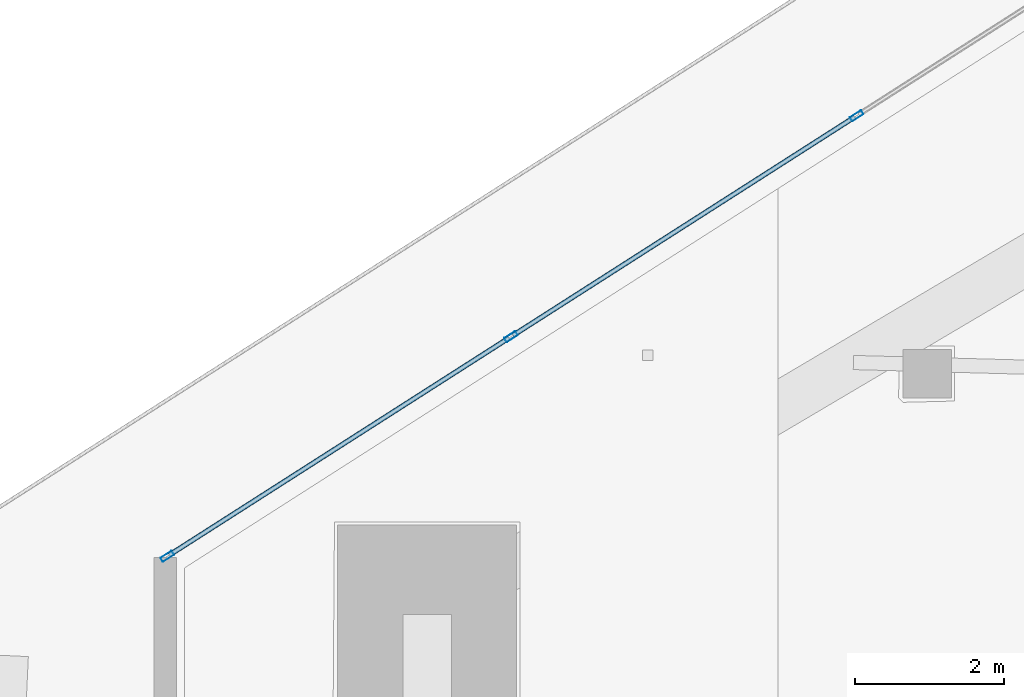
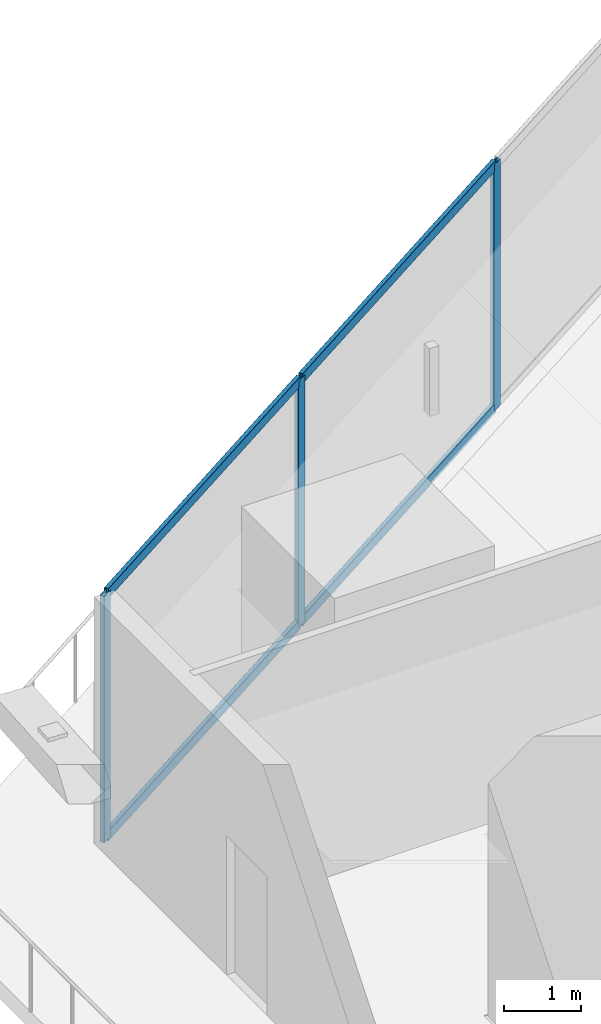
# One storey, part 14 of 45: 7 members, 1 element without a shape of its own.
"""IFC4 building model written with IfcOpenShell, lengths in metres."""

import ifcopenshell
import ifcopenshell.guid

model = None  # the IFC model being written
_history = None  # IfcOwnerHistory: only IFC2X3 demands one
_inside = {}  # id of a spatial element -> (the spatial element, [elements in it])
_under = {}  # id of a project, library or spatial element -> (it, [spatial elements below it])
_declared = {}  # id of a project -> (the project, [libraries it declares])
_typed = {}  # id of a type object -> (the type object, [elements of that type])
_made_of = {}  # id of a material, layer set ... -> (it, [elements and type objects made of it])


def new_model(schema):
    """Start an empty IFC model of exactly this schema.

    Asked for "IFC4X3", IfcOpenShell would pick the latest addendum, in which some entities
    have other attributes; the version numbers below select the first issue.
    IFC2X3 requires an IfcOwnerHistory on every rooted entity: one is made here for all.
    """
    global model, _history
    if schema == "IFC4X3":
        model = ifcopenshell.file(schema_version=(4, 3, 0, 0))
    else:
        model = ifcopenshell.file(schema=schema)
    _inside.clear()
    _under.clear()
    _declared.clear()
    _typed.clear()
    _made_of.clear()
    _history = None
    if model.schema == "IFC2X3":
        org = make("IfcOrganization", Name="unknown")
        user = make(
            "IfcPersonAndOrganization",
            ThePerson=make("IfcPerson", FamilyName="unknown"),
            TheOrganization=org,
        )
        app = make(
            "IfcApplication",
            ApplicationDeveloper=org,
            Version="unknown",
            ApplicationFullName="unknown",
            ApplicationIdentifier="unknown",
        )
        _history = make(
            "IfcOwnerHistory",
            OwningUser=user,
            OwningApplication=app,
            ChangeAction="ADDED",
            CreationDate=0,
        )
    return model


def make(cls, **values):
    """One entity of the class cls with the attributes given. An attribute that is None is left unset."""
    return model.create_entity(
        cls, **{name: value for name, value in values.items() if value is not None}
    )


def rooted(cls, **values):
    """An entity with a GlobalId (a new one), such as an element, a storey or a relation."""
    return make(cls, GlobalId=ifcopenshell.guid.new(), OwnerHistory=_history, **values)


def si_unit(unit_type, name, prefix=None):
    """IfcSIUnit, for example si_unit("LENGTHUNIT", "METRE", prefix="MILLI")."""
    return make("IfcSIUnit", UnitType=unit_type, Prefix=prefix, Name=name)


def assignment(units):
    """IfcUnitAssignment: the units of a project."""
    return None if units is None else make("IfcUnitAssignment", Units=units)


def point(xyz):
    """IfcCartesianPoint."""
    return None if xyz is None else make("IfcCartesianPoint", Coordinates=xyz)


def direction(xyz):
    """IfcDirection."""
    return None if xyz is None else make("IfcDirection", DirectionRatios=xyz)


def frame(location, z_axis=None, x_axis=None):
    """IfcAxis2Placement3D, a coordinate frame: its origin and axes. An axis left out is left unset."""
    return make(
        "IfcAxis2Placement3D",
        Location=point(location),
        Axis=direction(z_axis),
        RefDirection=direction(x_axis),
    )


def frame_2d(location, x_axis=None):
    """IfcAxis2Placement2D, a coordinate frame in the plane: its origin and x axis."""
    return make(
        "IfcAxis2Placement2D", Location=point(location), RefDirection=direction(x_axis)
    )


def origin():
    """The frame at (0, 0, 0) with its axes left unset."""
    return frame((0.0, 0.0, 0.0))


def origin_2d():
    """The frame at (0, 0) in the plane with its x axis left unset."""
    return frame_2d((0.0, 0.0))


def place(relative_to, where):
    """IfcLocalPlacement: puts the frame where relative to a parent placement (None: the world)."""
    return make(
        "IfcLocalPlacement", PlacementRelTo=relative_to, RelativePlacement=where
    )


def context(
    kind, dimensions, precision=None, world=None, true_north=None, identifier=None
):
    """IfcGeometricRepresentationContext, for example the 3D "Model" context."""
    return make(
        "IfcGeometricRepresentationContext",
        ContextIdentifier=identifier,
        ContextType=kind,
        CoordinateSpaceDimension=dimensions,
        Precision=precision,
        WorldCoordinateSystem=world,
        TrueNorth=true_north,
    )


def subcontext(parent, identifier, kind, view, scale=None):
    """IfcGeometricRepresentationSubContext, for example "Body" below "Model"."""
    return make(
        "IfcGeometricRepresentationSubContext",
        ContextIdentifier=identifier,
        ContextType=kind,
        ParentContext=parent,
        TargetScale=scale,
        TargetView=view,
    )


def project(units=None, contexts=None):
    """IfcProject with its units and contexts."""
    return rooted(
        "IfcProject",
        Name="project",
        RepresentationContexts=contexts,
        UnitsInContext=assignment(units),
    )


def spatial(cls, under=None, at=None, **own):
    """A site, building, storey or space (cls), placed at a placement, below another one or the project."""
    s = rooted(cls, ObjectPlacement=at, **own)
    if under is not None:
        _under.setdefault(under.id(), (under, []))[1].append(s)
    return s


def profile(cls, at=None, kind="AREA", **sizes):
    """A parametric profile (cls). Its sizes go by their IFC names, for example OverallWidth=200.0."""
    return make(cls, ProfileType=kind, Position=at, **sizes)


def hollow_rectangle(**sizes):
    """IfcRectangleHollowProfileDef."""
    return profile("IfcRectangleHollowProfileDef", **sizes)


def extrude(swept, where, along, depth):
    """IfcExtrudedAreaSolid: the profile swept, set in the frame where, extruded along a direction by depth."""
    return make(
        "IfcExtrudedAreaSolid",
        SweptArea=swept,
        Position=where,
        ExtrudedDirection=direction(along),
        Depth=depth,
    )


def shape(context_of_items, identifier, shape_type, items):
    """IfcShapeRepresentation: the items that make up one representation, for example the "Body"."""
    return make(
        "IfcShapeRepresentation",
        ContextOfItems=context_of_items,
        RepresentationIdentifier=identifier,
        RepresentationType=shape_type,
        Items=items,
    )


def material(Name=None, Category=None):
    """IfcMaterial."""
    return make("IfcMaterial", Name=Name, Category=Category)


def layer(
    of_material, thickness, ventilated=None, Name=None, Category=None, Priority=None
):
    """IfcMaterialLayer: one layer of a wall or slab, of a material (None: an air gap)."""
    return make(
        "IfcMaterialLayer",
        Material=of_material,
        LayerThickness=thickness,
        IsVentilated=ventilated,
        Name=Name,
        Category=Category,
        Priority=Priority,
    )


def layer_set(layers, Name=None):
    """IfcMaterialLayerSet."""
    return make("IfcMaterialLayerSet", MaterialLayers=layers, LayerSetName=Name)


def material_profile(
    of_material, cross_section, Name=None, Category=None, Priority=None
):
    """IfcMaterialProfile: a cross section and its material."""
    return make(
        "IfcMaterialProfile",
        Name=Name,
        Material=of_material,
        Profile=cross_section,
        Priority=Priority,
        Category=Category,
    )


def profile_set(profiles, Name=None, composite=None):
    """IfcMaterialProfileSet."""
    return make(
        "IfcMaterialProfileSet",
        Name=Name,
        MaterialProfiles=profiles,
        CompositeProfile=composite,
    )


def made_of(thing, what):
    """Note that an element or type object is made of a material, layer set ...; save() writes the relation."""
    if what is not None:
        _made_of.setdefault(what.id(), (what, []))[1].append(thing)
    return thing


def type_object(cls, material=None, **own):
    """A type object (cls), such as IfcWallType, which elements share."""
    return made_of(rooted(cls, **own), material)


def element(
    cls,
    number,
    at=None,
    inside=None,
    cuts=None,
    type_object=None,
    material=None,
    context=None,
    identifier="Body",
    shape_type=None,
    held_by="IfcProductDefinitionShape",
    body=None,
    shapes=None,
    **own,
):
    """One element of the class cls, such as IfcWall. Its Tag is "e" and its number.

    at: its placement. inside: the storey or other place that contains it. cuts: it is an
    opening in that element (IfcRelVoidsElement). A single representation is given by context,
    identifier, shape_type and body (its items); several are given by shapes. held_by: the class
    of the entity that holds the representations. save() writes the other relations.
    """
    e = rooted(cls, Tag="e%d" % number, ObjectPlacement=at, **own)
    if body is not None:
        shapes = [shape(context, identifier, shape_type, body)]
    if shapes is not None:
        e.Representation = make(held_by, Representations=shapes)
    if inside is not None:
        _inside.setdefault(inside.id(), (inside, []))[1].append(e)
    if cuts is not None:
        rooted(
            "IfcRelVoidsElement", RelatingBuildingElement=cuts, RelatedOpeningElement=e
        )
    if type_object is not None:
        _typed.setdefault(type_object.id(), (type_object, []))[1].append(e)
    return made_of(e, material)


def aggregate(whole, parts):
    """IfcRelAggregates: a whole, such as a stair, and the parts it consists of."""
    return rooted("IfcRelAggregates", RelatingObject=whole, RelatedObjects=parts)


def save(model, path):
    """Write the relations noted so far, then the file.

    IfcRelAggregates (storeys below a building ...), IfcRelContainedInSpatialStructure (elements
    in a storey), IfcRelDefinesByType, IfcRelAssociatesMaterial and IfcRelDeclares: one each for
    every whole, place, type object, material and project.
    """
    for whole, parts in _under.values():
        aggregate(whole, parts)
    for where, things in _inside.values():
        rooted(
            "IfcRelContainedInSpatialStructure",
            RelatedElements=things,
            RelatingStructure=where,
        )
    for kind, things in _typed.values():
        rooted("IfcRelDefinesByType", RelatedObjects=things, RelatingType=kind)
    for what, things in _made_of.values():
        rooted("IfcRelAssociatesMaterial", RelatedObjects=things, RelatingMaterial=what)
    for by, libraries in _declared.values():
        rooted("IfcRelDeclares", RelatingContext=by, RelatedDefinitions=libraries)
    model.write(path)


model = new_model("IFC4")

# Units and contexts
model_context = context("Model", 3, precision=1e-05, world=origin(), true_north=direction((0.0, 1.0)))
body_context = subcontext(model_context, "Body", "Model", "MODEL_VIEW")
ifc_project = project(units=[si_unit("LENGTHUNIT", "METRE"), si_unit("AREAUNIT", "SQUARE_METRE"), si_unit("VOLUMEUNIT", "CUBIC_METRE"), si_unit("PLANEANGLEUNIT", "RADIAN"), si_unit("MASSUNIT", "GRAM", prefix="KILO")], contexts=[model_context])

# Site, building, storey
site_placement = place(None, origin())
site = spatial("IfcSite", under=ifc_project, at=site_placement, CompositionType="ELEMENT")
building_placement = place(site_placement, origin())
building = spatial("IfcBuilding", under=site, at=building_placement, Name="Qorvath Tower", CompositionType="ELEMENT")
storey_placement = place(building_placement, frame((0.0, 0.0, 95.39990234375)))
storey = spatial("IfcBuildingStorey", under=building, at=storey_placement, Name="L21", CompositionType="ELEMENT", Elevation=95.39990234375)

# Curtain wall, members
ifc_material_1 = material(Name="Anodised aluminium and triple low-E glass", Category="aluminium")
ifc_layer = layer(ifc_material_1, 0.179931640625)
ifc_layer_set = layer_set([ifc_layer], Name="CW-SYS-2")
curtain_wall_type = type_object("IfcCurtainWallType", Name="CW-SYS-2", PredefinedType="NOTDEFINED", material=ifc_layer_set)
curtain_wall_placement = place(storey_placement, origin())
curtain_wall = element("IfcCurtainWall", 1, at=curtain_wall_placement, inside=storey, type_object=curtain_wall_type, Name="Curtain Wall CW-2 CW-T-L21-16.4", PredefinedType="NOTDEFINED")
ifc_material_2 = material(Name="Anodised aluminium 6063-T6", Category="aluminium")
ifc_material_profile_1 = material_profile(ifc_material_2, hollow_rectangle(XDim=0.06494140625, YDim=0.179931640625, WallThickness=0.00341796875, InnerFilletRadius=0.00341796875, OuterFilletRadius=0.007080078125, at=origin_2d()), Name="CWM 180x65")
ifc_profile_set_1 = profile_set([ifc_material_profile_1], Name="Anodised aluminium 6063-T6")
member_type_1 = type_object("IfcMemberType", Name="CWM-180", PredefinedType="MULLION", material=ifc_profile_set_1)
member_1_placement = place(storey_placement, frame((-49.524658203125, 9.881591796875, 0.0), z_axis=(0.0, 0.0, 1.0), x_axis=(0.53852928912, -0.842606791309, 0.0)))
member_1 = element("IfcMember", 2, at=member_1_placement, type_object=member_type_1, Name="CW-2 mullion 4", PredefinedType="MULLION", context=body_context, shape_type="SweptSolid", body=[
    extrude(hollow_rectangle(XDim=0.06494140625, YDim=0.179931640625, WallThickness=0.00341796875, InnerFilletRadius=0.00341796875, OuterFilletRadius=0.007080078125, at=origin_2d()), origin(), (0.0, 0.0, 1.0), 3.900146484375),
])
member_2_placement = place(storey_placement, frame((-54.158935546875, 6.919677734375, 0.0), z_axis=(0.0, 0.0, 1.0), x_axis=(0.53852928912, -0.842606791309, 0.0)))
member_2 = element("IfcMember", 3, at=member_2_placement, type_object=member_type_1, Name="CW-2 mullion 5", PredefinedType="MULLION", context=body_context, shape_type="SweptSolid", body=[
    extrude(hollow_rectangle(XDim=0.06494140625, YDim=0.179931640625, WallThickness=0.00341796875, InnerFilletRadius=0.00341796875, OuterFilletRadius=0.007080078125, at=origin_2d()), origin(), (0.0, 0.0, 1.0), 3.900146484375),
])
member_3_placement = place(storey_placement, frame((-58.765869140625, 3.975341796875, 0.0), z_axis=(0.0, 0.0, 1.0), x_axis=(0.53852928912, -0.842606791309, 0.0)))
member_3 = element("IfcMember", 4, at=member_3_placement, type_object=member_type_1, Name="CW-2 mullion 6", PredefinedType="MULLION", context=body_context, shape_type="SweptSolid", body=[
    extrude(hollow_rectangle(XDim=0.06494140625, YDim=0.179931640625, WallThickness=0.00341796875, InnerFilletRadius=0.00341796875, OuterFilletRadius=0.007080078125, at=origin_2d()), origin(), (0.0, 0.0, 1.0), 3.900146484375),
])
ifc_material_3 = material(Name="Anodised aluminium 6063-T6", Category="aluminium")
ifc_material_profile_2 = material_profile(ifc_material_3, hollow_rectangle(XDim=0.06494140625, YDim=0.159912109375, WallThickness=0.00341796875, InnerFilletRadius=0.00341796875, OuterFilletRadius=0.007080078125, at=origin_2d()), Name="CWT 160x65")
ifc_profile_set_2 = profile_set([ifc_material_profile_2], Name="Anodised aluminium 6063-T6")
member_type_2 = type_object("IfcMemberType", Name="CWT-160", PredefinedType="USERDEFINED", material=ifc_profile_set_2)
member_4_placement = place(storey_placement, frame((-49.552001953125, 9.864013671875, 0.032470703125), z_axis=(-0.842620391035, -0.538508009794, 0.0), x_axis=(0.538508009794, -0.842620391035, 0.0)))
member_4 = element("IfcMember", 5, at=member_4_placement, type_object=member_type_2, Name="CW-2 transom 4.1", ObjectType="TRANSOM", PredefinedType="USERDEFINED", context=body_context, shape_type="SweptSolid", body=[
    extrude(hollow_rectangle(XDim=0.06494140625, YDim=0.159912109375, WallThickness=0.00341796875, InnerFilletRadius=0.00341796875, OuterFilletRadius=0.007080078125, at=origin_2d()), origin(), (0.0, 0.0, 1.0), 5.43505859375),
])
member_5_placement = place(storey_placement, frame((-49.552001953125, 9.864013671875, 3.86767578125), z_axis=(-0.842620391035, -0.538508009794, 0.0), x_axis=(0.538508009794, -0.842620391035, 0.0)))
member_5 = element("IfcMember", 6, at=member_5_placement, type_object=member_type_2, Name="CW-2 transom 4.2", ObjectType="TRANSOM", PredefinedType="USERDEFINED", context=body_context, shape_type="SweptSolid", body=[
    extrude(hollow_rectangle(XDim=0.06494140625, YDim=0.159912109375, WallThickness=0.00341796875, InnerFilletRadius=0.00341796875, OuterFilletRadius=0.007080078125, at=origin_2d()), origin(), (0.0, 0.0, 1.0), 5.43505859375),
])
member_6_placement = place(storey_placement, frame((-54.186279296875, 6.902099609375, 0.032470703125), z_axis=(-0.842629048845, -0.538494462407, 0.0), x_axis=(0.538494462407, -0.842629048845, 0.0)))
member_6 = element("IfcMember", 7, at=member_6_placement, type_object=member_type_2, Name="CW-2 transom 5.1", ObjectType="TRANSOM", PredefinedType="USERDEFINED", context=body_context, shape_type="SweptSolid", body=[
    extrude(hollow_rectangle(XDim=0.06494140625, YDim=0.159912109375, WallThickness=0.00341796875, InnerFilletRadius=0.00341796875, OuterFilletRadius=0.007080078125, at=origin_2d()), origin(), (0.0, 0.0, 1.0), 5.40234375),
])
member_7_placement = place(storey_placement, frame((-54.186279296875, 6.902099609375, 3.86767578125), z_axis=(-0.842629048845, -0.538494462407, 0.0), x_axis=(0.538494462407, -0.842629048845, 0.0)))
member_7 = element("IfcMember", 8, at=member_7_placement, type_object=member_type_2, Name="CW-2 transom 5.2", ObjectType="TRANSOM", PredefinedType="USERDEFINED", context=body_context, shape_type="SweptSolid", body=[
    extrude(hollow_rectangle(XDim=0.06494140625, YDim=0.159912109375, WallThickness=0.00341796875, InnerFilletRadius=0.00341796875, OuterFilletRadius=0.007080078125, at=origin_2d()), origin(), (0.0, 0.0, 1.0), 5.40234375),
])
aggregate(curtain_wall, [member_1, member_2, member_3, member_4, member_5, member_6, member_7])

save(model, "model.ifc")
